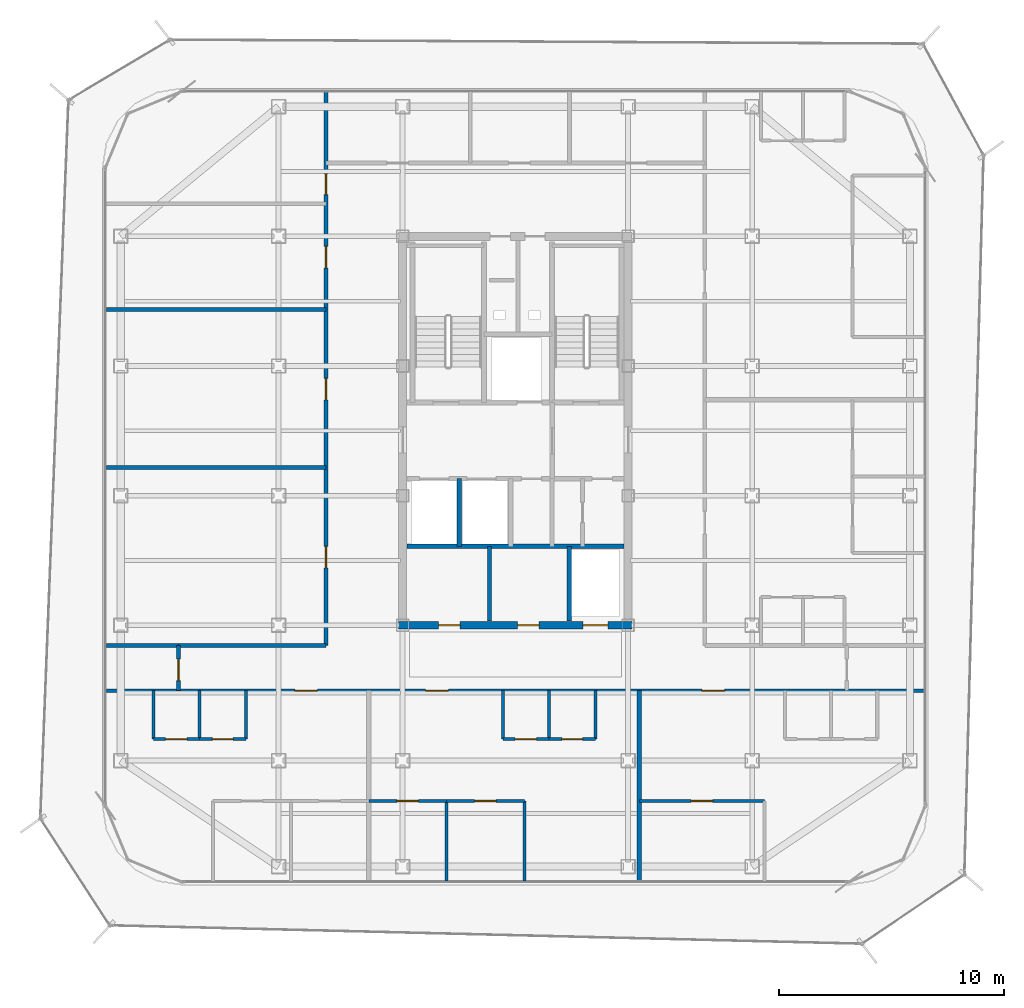
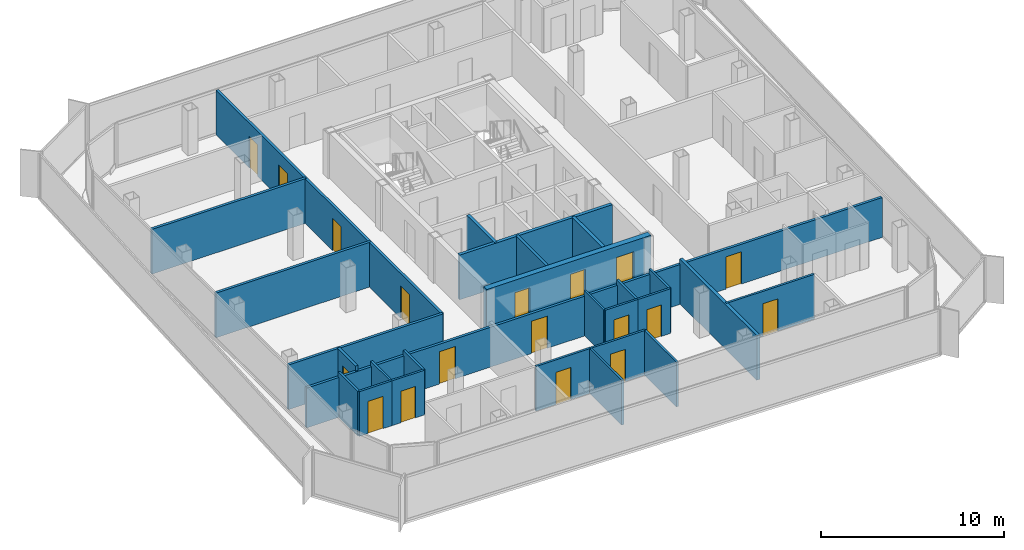
# One storey, part 10 of 15: 28 walls, 18 doors, 18 openings.
"""IFC4 building model written with IfcOpenShell, lengths in metres."""

from ifc_helpers import new_model, si_unit, direction, frame, frame_2d, origin, place, context, subcontext, project, spatial, rectangle, extrude, material, layer, layer_set, type_object, element, fill, save


model = new_model("IFC4")

# Units and contexts
model_context = context("Model", 3, precision=1e-05, world=origin(), true_north=direction((0.0, 1.0)))
body_context = subcontext(model_context, "Body", "Model", "MODEL_VIEW")
ifc_project = project(units=[si_unit("LENGTHUNIT", "METRE"), si_unit("AREAUNIT", "SQUARE_METRE"), si_unit("VOLUMEUNIT", "CUBIC_METRE"), si_unit("PLANEANGLEUNIT", "RADIAN"), si_unit("MASSUNIT", "GRAM", prefix="KILO")], contexts=[model_context])

# Site, building, storey
site_placement = place(None, origin())
site = spatial("IfcSite", under=ifc_project, at=site_placement, CompositionType="ELEMENT")
building_placement = place(site_placement, origin())
building = spatial("IfcBuilding", under=site, at=building_placement, Name="Kolveth Station Tower", CompositionType="ELEMENT")
storey_placement = place(building_placement, frame((0.0, 0.0, 252.10009765625)))
storey = spatial("IfcBuildingStorey", under=building, at=storey_placement, Name="L72", CompositionType="ELEMENT", Elevation=252.10009765625)

# Wall, openings, doors
ifc_material_1 = material(Name="Concrete C50/60", Category="concrete")
ifc_layer_1 = layer(ifc_material_1, 0.35009765625)
ifc_layer_set_1 = layer_set([ifc_layer_1], Name="Concrete C50/60")
wall_type_1 = type_object("IfcWallType", Name="Wall_CW-350", PredefinedType="SHEAR", material=ifc_layer_set_1)
wall_1_placement = place(storey_placement, frame((18.324951171875, 11.5, 0.0), z_axis=(0.0, 0.0, 1.0), x_axis=(1.0, 0.0, 0.0)))
wall_1 = element("IfcWall", 1, at=wall_1_placement, inside=storey, type_object=wall_type_1, Name="L72 Core RC Shear Wall S", PredefinedType="SHEAR", context=body_context, shape_type="SweptSolid", body=[
    extrude(rectangle(XDim=10.35009765625, YDim=0.35009765625, at=frame_2d((5.175048828125, 0.0))), origin(), (0.0, 0.0, 1.0), 2.97998046875),
])
opening_1_placement = place(wall_1_placement, frame((1.77490234375, 0.0, 0.0)))
opening_1 = element("IfcOpeningElement", 2, at=opening_1_placement, cuts=wall_1, Name="Opening ID1", PredefinedType="OPENING", context=body_context, shape_type="SweptSolid", body=[
    extrude(rectangle(XDim=0.949951171875, YDim=2.14990234375, at=frame_2d((0.47509765625, 1.074951171875))), frame((0.0, 0.18505859375, 0.0), z_axis=(0.0, -1.0, 0.0), x_axis=(1.0, 0.0, 0.0)), (0.0, 0.0, 1.0), 0.3701171875),
])
opening_2_placement = place(wall_1_placement, frame((5.27490234375, 0.0, 0.0)))
opening_2 = element("IfcOpeningElement", 3, at=opening_2_placement, cuts=wall_1, Name="Opening ID1", PredefinedType="OPENING", context=body_context, shape_type="SweptSolid", body=[
    extrude(rectangle(XDim=0.949951171875, YDim=2.14990234375, at=frame_2d((0.47509765625, 1.074951171875))), frame((0.0, 0.18505859375, 0.0), z_axis=(0.0, -1.0, 0.0), x_axis=(1.0, 0.0, 0.0)), (0.0, 0.0, 1.0), 0.3701171875),
])
opening_3_placement = place(wall_1_placement, frame((8.175048828125, 0.0, 0.0)))
opening_3 = element("IfcOpeningElement", 4, at=opening_3_placement, cuts=wall_1, Name="Opening LD1", PredefinedType="OPENING", context=body_context, shape_type="SweptSolid", body=[
    extrude(rectangle(XDim=1.10009765625, YDim=2.25, at=frame_2d((0.550048828125, 1.125))), frame((0.0, 0.18505859375, 0.0), z_axis=(0.0, -1.0, 0.0), x_axis=(1.0, 0.0, 0.0)), (0.0, 0.0, 1.0), 0.3701171875),
])
ifc_material_2 = material(Name="Acoustic hardwood leaf and aluminium frame", Category="wood")
door_type_1 = type_object("IfcDoorType", Name="Door_ID1", OperationType="NOTDEFINED", PredefinedType="DOOR", material=ifc_material_2)
door_1_placement = place(opening_1_placement, frame((0.949951171875, 0.0, 0.0), z_axis=(0.0, 0.0, 1.0), x_axis=(-1.0, 0.0, 0.0)))
door_1 = element("IfcDoor", 5, at=door_1_placement, inside=storey, type_object=door_type_1, Name="L72 Laundry Room Door", OperationType="SINGLE_SWING_LEFT", OverallHeight=2.14990234375, OverallWidth=0.949951171875, PredefinedType="DOOR", context=body_context, shape_type="SweptSolid", body=[
    extrude(rectangle(XDim=0.949951171875, YDim=2.14990234375, at=frame_2d((0.47509765625, 1.074951171875))), frame((0.0, 0.02490234375, 0.0), z_axis=(0.0, -1.0, 0.0), x_axis=(1.0, 0.0, 0.0)), (0.0, 0.0, 1.0), 0.050048828125),
])
fill(opening_1, door_1)
door_2_placement = place(opening_2_placement, frame((0.949951171875, 0.0, 0.0), z_axis=(0.0, 0.0, 1.0), x_axis=(-1.0, 0.0, 0.0)))
door_2 = element("IfcDoor", 6, at=door_2_placement, inside=storey, type_object=door_type_1, Name="L72 Parcel Room Door", OperationType="SINGLE_SWING_LEFT", OverallHeight=2.14990234375, OverallWidth=0.949951171875, PredefinedType="DOOR", context=body_context, shape_type="SweptSolid", body=[
    extrude(rectangle(XDim=0.949951171875, YDim=2.14990234375, at=frame_2d((0.47509765625, 1.074951171875))), frame((0.0, 0.02490234375, 0.0), z_axis=(0.0, -1.0, 0.0), x_axis=(1.0, 0.0, 0.0)), (0.0, 0.0, 1.0), 0.050048828125),
])
fill(opening_2, door_2)
ifc_material_3 = material(Name="Brushed stainless steel sliding landing doors", Category="steel")
door_type_2 = type_object("IfcDoorType", Name="Door_LD1", OperationType="NOTDEFINED", PredefinedType="DOOR", material=ifc_material_3)
door_3_placement = place(opening_3_placement, frame((1.10009765625, 0.0, 0.0), z_axis=(0.0, 0.0, 1.0), x_axis=(-1.0, 0.0, 0.0)))
door_3 = element("IfcDoor", 7, at=door_3_placement, inside=storey, type_object=door_type_2, Name="L72 Lift PH1 Landing Door", OperationType="DOUBLE_DOOR_SLIDING", OverallHeight=2.25, OverallWidth=1.10009765625, PredefinedType="DOOR", context=body_context, shape_type="SweptSolid", body=[
    extrude(rectangle(XDim=1.10009765625, YDim=2.25, at=frame_2d((0.550048828125, 1.125))), frame((0.0, 0.02490234375, 0.0), z_axis=(0.0, -1.0, 0.0), x_axis=(1.0, 0.0, 0.0)), (0.0, 0.0, 1.0), 0.050048828125),
])
fill(opening_3, door_3)

# Wall, opening, door
ifc_material_4 = material(Name="Moisture-resistant gypsum partition")
ifc_layer_2 = layer(ifc_material_4, 0.135009765625)
ifc_layer_set_2 = layer_set([ifc_layer_2], Name="Moisture-resistant gypsum partition")
wall_type_2 = type_object("IfcWallType", Name="Wall_IW-135", PredefinedType="PARTITIONING", material=ifc_layer_set_2)
wall_2_placement = place(storey_placement, frame((7.449951171875, 6.449951171875, 0.0), z_axis=(0.0, 0.0, 1.0), x_axis=(1.0, 0.0, 0.0)))
wall_2 = element("IfcWall", 8, at=wall_2_placement, inside=storey, type_object=wall_type_2, Name="L72 Partition Wall WL-L72-A1-IBHK", PredefinedType="PARTITIONING", context=body_context, shape_type="SweptSolid", body=[
    extrude(rectangle(XDim=2.050048828125, YDim=0.135009765625, at=frame_2d((1.02490234375, 0.0))), origin(), (0.0, 0.0, 1.0), 2.97998046875),
])
opening_4_placement = place(wall_2_placement, frame((0.544921875, 0.0, 0.0)))
opening_4 = element("IfcOpeningElement", 9, at=opening_4_placement, cuts=wall_2, Name="Opening ID1", PredefinedType="OPENING", context=body_context, shape_type="SweptSolid", body=[
    extrude(rectangle(XDim=0.949951171875, YDim=2.14990234375, at=frame_2d((0.47509765625, 1.074951171875))), frame((0.0, 0.077392578125, 0.0), z_axis=(0.0, -1.0, 0.0), x_axis=(1.0, 0.0, 0.0)), (0.0, 0.0, 1.0), 0.155029296875),
])
door_4_placement = place(opening_4_placement, origin())
door_4 = element("IfcDoor", 10, at=door_4_placement, inside=storey, type_object=door_type_1, Name="Flat L72-A1 Kitchen Door", OperationType="SINGLE_SWING_RIGHT", OverallHeight=2.14990234375, OverallWidth=0.949951171875, PredefinedType="DOOR", context=body_context, shape_type="SweptSolid", body=[
    extrude(rectangle(XDim=0.949951171875, YDim=2.14990234375, at=frame_2d((0.47509765625, 1.074951171875))), frame((0.0, 0.02490234375, 0.0), z_axis=(0.0, -1.0, 0.0), x_axis=(1.0, 0.0, 0.0)), (0.0, 0.0, 1.0), 0.050048828125),
])
fill(opening_4, door_4)

wall_3_placement = place(storey_placement, frame((9.5, 6.449951171875, 0.0), z_axis=(0.0, 0.0, 1.0), x_axis=(1.0, 0.0, 0.0)))
wall_3 = element("IfcWall", 11, at=wall_3_placement, inside=storey, type_object=wall_type_2, Name="L72 Partition Wall WL-L72-A1-IBHB", PredefinedType="PARTITIONING", context=body_context, shape_type="SweptSolid", body=[
    extrude(rectangle(XDim=2.050048828125, YDim=0.135009765625, at=frame_2d((1.02490234375, 0.0))), origin(), (0.0, 0.0, 1.0), 2.97998046875),
])
opening_5_placement = place(wall_3_placement, frame((0.56494140625, 0.0, 0.0)))
opening_5 = element("IfcOpeningElement", 12, at=opening_5_placement, cuts=wall_3, Name="Opening ID2", PredefinedType="OPENING", context=body_context, shape_type="SweptSolid", body=[
    extrude(rectangle(XDim=0.919921875, YDim=2.10009765625, at=frame_2d((0.4599609375, 1.050048828125))), frame((0.0, 0.077392578125, 0.0), z_axis=(0.0, -1.0, 0.0), x_axis=(1.0, 0.0, 0.0)), (0.0, 0.0, 1.0), 0.155029296875),
])
ifc_material_5 = material(Name="Moisture-resistant hardwood leaf", Category="wood")
door_type_3 = type_object("IfcDoorType", Name="Door_ID2", OperationType="NOTDEFINED", PredefinedType="DOOR", material=ifc_material_5)
door_5_placement = place(opening_5_placement, origin())
door_5 = element("IfcDoor", 13, at=door_5_placement, inside=storey, type_object=door_type_3, Name="Flat L72-A1 Bathroom Door", OperationType="SINGLE_SWING_LEFT", OverallHeight=2.10009765625, OverallWidth=0.919921875, PredefinedType="DOOR", context=body_context, shape_type="SweptSolid", body=[
    extrude(rectangle(XDim=0.919921875, YDim=2.10009765625, at=frame_2d((0.4599609375, 1.050048828125))), frame((0.0, 0.02490234375, 0.0), z_axis=(0.0, -1.0, 0.0), x_axis=(1.0, 0.0, 0.0)), (0.0, 0.0, 1.0), 0.050048828125),
])
fill(opening_5, door_5)

# Walls
for number, where, z_axis, x_axis, name in (
    (14, (7.449951171875, 6.449951171875, 0.0), (0.0, 0.0, 1.0), (0.0, 1.0, 0.0), "L72 Partition Wall WL-L72-A1-IBV0"),
    (15, (9.5, 6.449951171875, 0.0), (0.0, 0.0, 1.0), (0.0, 1.0, 0.0), "L72 Partition Wall WL-L72-A1-IBV1"),
    (16, (11.550048828125, 6.449951171875, 0.0), (0.0, 0.0, 1.0), (0.0, 1.0, 0.0), "L72 Partition Wall WL-L72-A1-IBV2"),
):
    element("IfcWall", number, at=place(storey_placement, frame(where, z_axis=z_axis, x_axis=x_axis)), inside=storey, type_object=wall_type_2, Name=name, PredefinedType="PARTITIONING", context=body_context, shape_type="SweptSolid", body=[
        extrude(rectangle(XDim=2.150146484375, YDim=0.135009765625, at=frame_2d((1.0751953125, 0.0))), origin(), (0.0, 0.0, 1.0), 2.97998046875),
    ])

# Wall, opening, door
wall_4_placement = place(storey_placement, frame((22.949951171875, 6.449951171875, 0.0), z_axis=(0.0, 0.0, 1.0), x_axis=(1.0, 0.0, 0.0)))
wall_4 = element("IfcWall", 17, at=wall_4_placement, inside=storey, type_object=wall_type_2, Name="L72 Partition Wall WL-L72-A2-IBHK", PredefinedType="PARTITIONING", context=body_context, shape_type="SweptSolid", body=[
    extrude(rectangle(XDim=2.050048828125, YDim=0.135009765625, at=frame_2d((1.02490234375, 0.0))), origin(), (0.0, 0.0, 1.0), 2.97998046875),
])
opening_6_placement = place(wall_4_placement, frame((0.544921875, 0.0, 0.0)))
opening_6 = element("IfcOpeningElement", 18, at=opening_6_placement, cuts=wall_4, Name="Opening ID1", PredefinedType="OPENING", context=body_context, shape_type="SweptSolid", body=[
    extrude(rectangle(XDim=0.949951171875, YDim=2.14990234375, at=frame_2d((0.47509765625, 1.074951171875))), frame((0.0, 0.077392578125, 0.0), z_axis=(0.0, -1.0, 0.0), x_axis=(1.0, 0.0, 0.0)), (0.0, 0.0, 1.0), 0.155029296875),
])
door_6_placement = place(opening_6_placement, origin())
door_6 = element("IfcDoor", 19, at=door_6_placement, inside=storey, type_object=door_type_1, Name="Flat L72-A2 Kitchen Door", OperationType="SINGLE_SWING_LEFT", OverallHeight=2.14990234375, OverallWidth=0.949951171875, PredefinedType="DOOR", context=body_context, shape_type="SweptSolid", body=[
    extrude(rectangle(XDim=0.949951171875, YDim=2.14990234375, at=frame_2d((0.47509765625, 1.074951171875))), frame((0.0, 0.02490234375, 0.0), z_axis=(0.0, -1.0, 0.0), x_axis=(1.0, 0.0, 0.0)), (0.0, 0.0, 1.0), 0.050048828125),
])
fill(opening_6, door_6)

wall_5_placement = place(storey_placement, frame((25.0, 6.449951171875, 0.0), z_axis=(0.0, 0.0, 1.0), x_axis=(1.0, 0.0, 0.0)))
wall_5 = element("IfcWall", 20, at=wall_5_placement, inside=storey, type_object=wall_type_2, Name="L72 Partition Wall WL-L72-A2-IBHB", PredefinedType="PARTITIONING", context=body_context, shape_type="SweptSolid", body=[
    extrude(rectangle(XDim=2.050048828125, YDim=0.135009765625, at=frame_2d((1.02490234375, 0.0))), origin(), (0.0, 0.0, 1.0), 2.97998046875),
])
opening_7_placement = place(wall_5_placement, frame((0.56494140625, 0.0, 0.0)))
opening_7 = element("IfcOpeningElement", 21, at=opening_7_placement, cuts=wall_5, Name="Opening ID2", PredefinedType="OPENING", context=body_context, shape_type="SweptSolid", body=[
    extrude(rectangle(XDim=0.919921875, YDim=2.10009765625, at=frame_2d((0.4599609375, 1.050048828125))), frame((0.0, 0.077392578125, 0.0), z_axis=(0.0, -1.0, 0.0), x_axis=(1.0, 0.0, 0.0)), (0.0, 0.0, 1.0), 0.155029296875),
])
door_7_placement = place(opening_7_placement, origin())
door_7 = element("IfcDoor", 22, at=door_7_placement, inside=storey, type_object=door_type_3, Name="Flat L72-A2 Bathroom Door", OperationType="SINGLE_SWING_RIGHT", OverallHeight=2.10009765625, OverallWidth=0.919921875, PredefinedType="DOOR", context=body_context, shape_type="SweptSolid", body=[
    extrude(rectangle(XDim=0.919921875, YDim=2.10009765625, at=frame_2d((0.4599609375, 1.050048828125))), frame((0.0, 0.02490234375, 0.0), z_axis=(0.0, -1.0, 0.0), x_axis=(1.0, 0.0, 0.0)), (0.0, 0.0, 1.0), 0.050048828125),
])
fill(opening_7, door_7)

# Walls
for number, where, z_axis, x_axis, name in (
    (23, (22.949951171875, 6.449951171875, 0.0), (0.0, 0.0, 1.0), (0.0, 1.0, 0.0), "L72 Partition Wall WL-L72-A2-IBV0"),
    (24, (25.0, 6.449951171875, 0.0), (0.0, 0.0, 1.0), (0.0, 1.0, 0.0), "L72 Partition Wall WL-L72-A2-IBV1"),
    (25, (27.050048828125, 6.449951171875, 0.0), (0.0, 0.0, 1.0), (0.0, 1.0, 0.0), "L72 Partition Wall WL-L72-A2-IBV2"),
):
    element("IfcWall", number, at=place(storey_placement, frame(where, z_axis=z_axis, x_axis=x_axis)), inside=storey, type_object=wall_type_2, Name=name, PredefinedType="PARTITIONING", context=body_context, shape_type="SweptSolid", body=[
        extrude(rectangle(XDim=2.150146484375, YDim=0.135009765625, at=frame_2d((1.0751953125, 0.0))), origin(), (0.0, 0.0, 1.0), 2.97998046875),
    ])
wall_6_placement = place(storey_placement, frame((23.89990234375, 0.159912109375, 0.0), z_axis=(0.0, 0.0, 1.0), x_axis=(0.0, 1.0, 0.0)))
element("IfcWall", 26, at=wall_6_placement, inside=storey, type_object=wall_type_2, Name="L72 Partition Wall WL-L72-A2-BDVE", PredefinedType="PARTITIONING", context=body_context, shape_type="SweptSolid", body=[
    extrude(rectangle(XDim=3.550048828125, YDim=0.135009765625, at=frame_2d((1.77490234375, 0.0))), origin(), (0.0, 0.0, 1.0), 2.97998046875),
])

# Wall, opening, door
wall_7_placement = place(storey_placement, frame((17.0, 3.7099609375, 0.0), z_axis=(0.0, 0.0, 1.0), x_axis=(1.0, 0.0, 0.0)))
wall_7 = element("IfcWall", 27, at=wall_7_placement, inside=storey, type_object=wall_type_2, Name="L72 Partition Wall WL-L72-A2-BDH1", PredefinedType="PARTITIONING", context=body_context, shape_type="SweptSolid", body=[
    extrude(rectangle(XDim=3.449951171875, YDim=0.135009765625, at=frame_2d((1.72509765625, 0.0))), origin(), (0.0, 0.0, 1.0), 2.97998046875),
])
opening_8_placement = place(wall_7_placement, frame((1.2451171875, 0.0, 0.0)))
opening_8 = element("IfcOpeningElement", 28, at=opening_8_placement, cuts=wall_7, Name="Opening ID1", PredefinedType="OPENING", context=body_context, shape_type="SweptSolid", body=[
    extrude(rectangle(XDim=0.949951171875, YDim=2.14990234375, at=frame_2d((0.47509765625, 1.074951171875))), frame((0.0, 0.077392578125, 0.0), z_axis=(0.0, -1.0, 0.0), x_axis=(1.0, 0.0, 0.0)), (0.0, 0.0, 1.0), 0.155029296875),
])
door_8_placement = place(opening_8_placement, frame((0.949951171875, 0.0, 0.0), z_axis=(0.0, 0.0, 1.0), x_axis=(-1.0, 0.0, 0.0)))
door_8 = element("IfcDoor", 29, at=door_8_placement, inside=storey, type_object=door_type_1, Name="Flat L72-A2 Bedroom 1 Door", OperationType="SINGLE_SWING_LEFT", OverallHeight=2.14990234375, OverallWidth=0.949951171875, PredefinedType="DOOR", context=body_context, shape_type="SweptSolid", body=[
    extrude(rectangle(XDim=0.949951171875, YDim=2.14990234375, at=frame_2d((0.47509765625, 1.074951171875))), frame((0.0, 0.02490234375, 0.0), z_axis=(0.0, -1.0, 0.0), x_axis=(1.0, 0.0, 0.0)), (0.0, 0.0, 1.0), 0.050048828125),
])
fill(opening_8, door_8)

wall_8_placement = place(storey_placement, frame((20.449951171875, 3.7099609375, 0.0), z_axis=(0.0, 0.0, 1.0), x_axis=(1.0, 0.0, 0.0)))
wall_8 = element("IfcWall", 30, at=wall_8_placement, inside=storey, type_object=wall_type_2, Name="L72 Partition Wall WL-L72-A2-BDH2", PredefinedType="PARTITIONING", context=body_context, shape_type="SweptSolid", body=[
    extrude(rectangle(XDim=3.449951171875, YDim=0.135009765625, at=frame_2d((1.72509765625, 0.0))), origin(), (0.0, 0.0, 1.0), 2.97998046875),
])
opening_9_placement = place(wall_8_placement, frame((1.2451171875, 0.0, 0.0)))
opening_9 = element("IfcOpeningElement", 31, at=opening_9_placement, cuts=wall_8, Name="Opening ID1", PredefinedType="OPENING", context=body_context, shape_type="SweptSolid", body=[
    extrude(rectangle(XDim=0.949951171875, YDim=2.14990234375, at=frame_2d((0.47509765625, 1.074951171875))), frame((0.0, 0.077392578125, 0.0), z_axis=(0.0, -1.0, 0.0), x_axis=(1.0, 0.0, 0.0)), (0.0, 0.0, 1.0), 0.155029296875),
])
door_9_placement = place(opening_9_placement, frame((0.949951171875, 0.0, 0.0), z_axis=(0.0, 0.0, 1.0), x_axis=(-1.0, 0.0, 0.0)))
door_9 = element("IfcDoor", 32, at=door_9_placement, inside=storey, type_object=door_type_1, Name="Flat L72-A2 Bedroom 2 Door", OperationType="SINGLE_SWING_LEFT", OverallHeight=2.14990234375, OverallWidth=0.949951171875, PredefinedType="DOOR", context=body_context, shape_type="SweptSolid", body=[
    extrude(rectangle(XDim=0.949951171875, YDim=2.14990234375, at=frame_2d((0.47509765625, 1.074951171875))), frame((0.0, 0.02490234375, 0.0), z_axis=(0.0, -1.0, 0.0), x_axis=(1.0, 0.0, 0.0)), (0.0, 0.0, 1.0), 0.050048828125),
])
fill(opening_9, door_9)

# Wall
wall_9_placement = place(storey_placement, frame((20.449951171875, 0.159912109375, 0.0), z_axis=(0.0, 0.0, 1.0), x_axis=(0.0, 1.0, 0.0)))
element("IfcWall", 33, at=wall_9_placement, inside=storey, type_object=wall_type_2, Name="L72 Partition Wall WL-L72-A2-BDV1", PredefinedType="PARTITIONING", context=body_context, shape_type="SweptSolid", body=[
    extrude(rectangle(XDim=3.550048828125, YDim=0.135009765625, at=frame_2d((1.77490234375, 0.0))), origin(), (0.0, 0.0, 1.0), 2.97998046875),
])

# Wall, opening, door
wall_10_placement = place(storey_placement, frame((29.0, 3.7099609375, 0.0), z_axis=(0.0, 0.0, 1.0), x_axis=(1.0, 0.0, 0.0)))
wall_10 = element("IfcWall", 34, at=wall_10_placement, inside=storey, type_object=wall_type_2, Name="L72 Partition Wall WL-L72-A3-BDH1", PredefinedType="PARTITIONING", context=body_context, shape_type="SweptSolid", body=[
    extrude(rectangle(XDim=5.549072265625, YDim=0.135009765625, at=frame_2d((2.7744140625, 0.0))), origin(), (0.0, 0.0, 1.0), 2.97998046875),
])
opening_10_placement = place(wall_10_placement, frame((2.2939453125, 0.0, 0.0)))
opening_10 = element("IfcOpeningElement", 35, at=opening_10_placement, cuts=wall_10, Name="Opening ID1", PredefinedType="OPENING", context=body_context, shape_type="SweptSolid", body=[
    extrude(rectangle(XDim=0.949951171875, YDim=2.14990234375, at=frame_2d((0.47509765625, 1.074951171875))), frame((0.0, 0.077392578125, 0.0), z_axis=(0.0, -1.0, 0.0), x_axis=(1.0, 0.0, 0.0)), (0.0, 0.0, 1.0), 0.155029296875),
])
door_10_placement = place(opening_10_placement, frame((0.949951171875, 0.0, 0.0), z_axis=(0.0, 0.0, 1.0), x_axis=(-1.0, 0.0, 0.0)))
door_10 = element("IfcDoor", 36, at=door_10_placement, inside=storey, type_object=door_type_1, Name="Penthouse Flat L72-A3 Bedroom 1 Door", OperationType="SINGLE_SWING_RIGHT", OverallHeight=2.14990234375, OverallWidth=0.949951171875, PredefinedType="DOOR", context=body_context, shape_type="SweptSolid", body=[
    extrude(rectangle(XDim=0.949951171875, YDim=2.14990234375, at=frame_2d((0.47509765625, 1.074951171875))), frame((0.0, 0.02490234375, 0.0), z_axis=(0.0, -1.0, 0.0), x_axis=(1.0, 0.0, 0.0)), (0.0, 0.0, 1.0), 0.050048828125),
])
fill(opening_10, door_10)

# Wall
ifc_material_6 = material(Name="Acoustic double-stud gypsum partition")
ifc_layer_3 = layer(ifc_material_6, 0.1650390625)
ifc_layer_set_3 = layer_set([ifc_layer_3], Name="Acoustic double-stud gypsum partition")
wall_type_3 = type_object("IfcWallType", Name="Wall_IW-165", PredefinedType="PARTITIONING", material=ifc_layer_set_3)
wall_11_placement = place(storey_placement, frame((22.35009765625, 11.68505859375, 0.0), z_axis=(0.0, 0.0, 1.0), x_axis=(0.0, 1.0, 0.0)))
element("IfcWall", 37, at=wall_11_placement, inside=storey, type_object=wall_type_3, Name="L72 Partition Wall WL-L72-FR-M", PredefinedType="PARTITIONING", context=body_context, shape_type="SweptSolid", body=[
    extrude(rectangle(XDim=3.31494140625, YDim=0.1650390625, at=frame_2d((1.657470703125, 0.0))), origin(), (0.0, 0.0, 1.0), 2.97998046875),
])

# Wall, openings, doors
wall_12_placement = place(storey_placement, frame((5.360107421875, 8.60009765625, 0.0), z_axis=(0.0, 0.0, 1.0), x_axis=(1.0, 0.0, 0.0)))
wall_12 = element("IfcWall", 38, at=wall_12_placement, inside=storey, type_object=wall_type_3, Name="L72 Partition Wall WL-L72-RS", PredefinedType="PARTITIONING", context=body_context, shape_type="SweptSolid", body=[
    extrude(rectangle(XDim=36.27978515625, YDim=0.1650390625, at=frame_2d((18.139892578125, 0.0))), origin(), (0.0, 0.0, 1.0), 2.65478515625),
])
opening_11_placement = place(wall_12_placement, frame((8.364990234375, 0.0, 0.0)))
opening_11 = element("IfcOpeningElement", 39, at=opening_11_placement, cuts=wall_12, Name="Opening FD3", PredefinedType="OPENING", context=body_context, shape_type="SweptSolid", body=[
    extrude(rectangle(XDim=1.0, YDim=2.14990234375, at=frame_2d((0.5, 1.074951171875))), frame((0.0, 0.092529296875, 0.0), z_axis=(0.0, -1.0, 0.0), x_axis=(1.0, 0.0, 0.0)), (0.0, 0.0, 1.0), 0.18505859375),
])
opening_12_placement = place(wall_12_placement, frame((14.1650390625, 0.0, 0.0)))
opening_12 = element("IfcOpeningElement", 40, at=opening_12_placement, cuts=wall_12, Name="Opening FD3", PredefinedType="OPENING", context=body_context, shape_type="SweptSolid", body=[
    extrude(rectangle(XDim=1.0, YDim=2.14990234375, at=frame_2d((0.5, 1.074951171875))), frame((0.0, 0.092529296875, 0.0), z_axis=(0.0, -1.0, 0.0), x_axis=(1.0, 0.0, 0.0)), (0.0, 0.0, 1.0), 0.18505859375),
])
opening_13_placement = place(wall_12_placement, frame((26.4150390625, 0.0, 0.0)))
opening_13 = element("IfcOpeningElement", 41, at=opening_13_placement, cuts=wall_12, Name="Opening FD3", PredefinedType="OPENING", context=body_context, shape_type="SweptSolid", body=[
    extrude(rectangle(XDim=1.0, YDim=2.14990234375, at=frame_2d((0.5, 1.074951171875))), frame((0.0, 0.092529296875, 0.0), z_axis=(0.0, -1.0, 0.0), x_axis=(1.0, 0.0, 0.0)), (0.0, 0.0, 1.0), 0.18505859375),
])
ifc_material_7 = material(Name="Fire-rated hardwood leaf and aluminium frame", Category="wood")
door_type_4 = type_object("IfcDoorType", Name="Door_FD3", OperationType="NOTDEFINED", PredefinedType="DOOR", material=ifc_material_7)
door_11_placement = place(opening_11_placement, frame((1.0, 0.0, 0.0), z_axis=(0.0, 0.0, 1.0), x_axis=(-1.0, 0.0, 0.0)))
door_11 = element("IfcDoor", 42, at=door_11_placement, inside=storey, type_object=door_type_4, Name="Flat L72-A1 Entrance Door", OperationType="SINGLE_SWING_RIGHT", OverallHeight=2.14990234375, OverallWidth=1.0, PredefinedType="DOOR", context=body_context, shape_type="SweptSolid", body=[
    extrude(rectangle(XDim=1.0, YDim=2.14990234375, at=frame_2d((0.5, 1.074951171875))), frame((0.0, 0.02490234375, 0.0), z_axis=(0.0, -1.0, 0.0), x_axis=(1.0, 0.0, 0.0)), (0.0, 0.0, 1.0), 0.050048828125),
])
fill(opening_11, door_11)
door_12_placement = place(opening_12_placement, frame((1.0, 0.0, 0.0), z_axis=(0.0, 0.0, 1.0), x_axis=(-1.0, 0.0, 0.0)))
door_12 = element("IfcDoor", 43, at=door_12_placement, inside=storey, type_object=door_type_4, Name="Flat L72-A2 Entrance Door", OperationType="SINGLE_SWING_LEFT", OverallHeight=2.14990234375, OverallWidth=1.0, PredefinedType="DOOR", context=body_context, shape_type="SweptSolid", body=[
    extrude(rectangle(XDim=1.0, YDim=2.14990234375, at=frame_2d((0.5, 1.074951171875))), frame((0.0, 0.02490234375, 0.0), z_axis=(0.0, -1.0, 0.0), x_axis=(1.0, 0.0, 0.0)), (0.0, 0.0, 1.0), 0.050048828125),
])
fill(opening_12, door_12)
door_13_placement = place(opening_13_placement, frame((1.0, 0.0, 0.0), z_axis=(0.0, 0.0, 1.0), x_axis=(-1.0, 0.0, 0.0)))
door_13 = element("IfcDoor", 44, at=door_13_placement, inside=storey, type_object=door_type_4, Name="Penthouse Flat L72-A3 Entrance Door", OperationType="SINGLE_SWING_LEFT", OverallHeight=2.14990234375, OverallWidth=1.0, PredefinedType="DOOR", context=body_context, shape_type="SweptSolid", body=[
    extrude(rectangle(XDim=1.0, YDim=2.14990234375, at=frame_2d((0.5, 1.074951171875))), frame((0.0, 0.02490234375, 0.0), z_axis=(0.0, -1.0, 0.0), x_axis=(1.0, 0.0, 0.0)), (0.0, 0.0, 1.0), 0.050048828125),
])
fill(opening_13, door_13)

# Wall
wall_13_placement = place(storey_placement, frame((8.56005859375, 10.60009765625, 0.0), z_axis=(0.0, 0.0, 1.0), x_axis=(1.0, 0.0, 0.0)))
element("IfcWall", 45, at=wall_13_placement, inside=storey, type_object=wall_type_3, Name="L72 Partition Wall WL-L72-RSWT", PredefinedType="PARTITIONING", context=body_context, shape_type="SweptSolid", body=[
    extrude(rectangle(XDim=6.5400390625, YDim=0.1650390625, at=frame_2d((3.27001953125, 0.0))), origin(), (0.0, 0.0, 1.0), 2.97998046875),
])

# Wall, opening, door
wall_14_placement = place(storey_placement, frame((8.56005859375, 8.60009765625, 0.0), z_axis=(0.0, 0.0, 1.0), x_axis=(0.0, 1.0, 0.0)))
wall_14 = element("IfcWall", 46, at=wall_14_placement, inside=storey, type_object=wall_type_3, Name="L72 Partition Wall WL-L72-RSWE", PredefinedType="PARTITIONING", context=body_context, shape_type="SweptSolid", body=[
    extrude(rectangle(XDim=2.0, YDim=0.1650390625, at=frame_2d((1.0, 0.0))), origin(), (0.0, 0.0, 1.0), 2.97998046875),
])
opening_14_placement = place(wall_14_placement, frame((0.449951171875, 0.0, 0.0)))
opening_14 = element("IfcOpeningElement", 47, at=opening_14_placement, cuts=wall_14, Name="Opening ID1", PredefinedType="OPENING", context=body_context, shape_type="SweptSolid", body=[
    extrude(rectangle(XDim=0.949951171875, YDim=2.14990234375, at=frame_2d((0.47509765625, 1.074951171875))), frame((0.0, 0.092529296875, 0.0), z_axis=(0.0, -1.0, 0.0), x_axis=(1.0, 0.0, 0.0)), (0.0, 0.0, 1.0), 0.18505859375),
])
door_14_placement = place(opening_14_placement, frame((0.949951171875, 0.0, 0.0), z_axis=(0.0, 0.0, 1.0), x_axis=(-1.0, 0.0, 0.0)))
door_14 = element("IfcDoor", 48, at=door_14_placement, inside=storey, type_object=door_type_1, Name="L72 West Store Door", OperationType="SINGLE_SWING_RIGHT", OverallHeight=2.14990234375, OverallWidth=0.949951171875, PredefinedType="DOOR", context=body_context, shape_type="SweptSolid", body=[
    extrude(rectangle(XDim=0.949951171875, YDim=2.14990234375, at=frame_2d((0.47509765625, 1.074951171875))), frame((0.0, 0.02490234375, 0.0), z_axis=(0.0, -1.0, 0.0), x_axis=(1.0, 0.0, 0.0)), (0.0, 0.0, 1.0), 0.050048828125),
])
fill(opening_14, door_14)

# Wall, openings, doors
wall_15_placement = place(storey_placement, frame((15.10009765625, 10.60009765625, 0.0), z_axis=(0.0, 0.0, 1.0), x_axis=(0.0, 1.0, 0.0)))
wall_15 = element("IfcWall", 49, at=wall_15_placement, inside=storey, type_object=wall_type_3, Name="L72 Partition Wall WL-L72-RW", PredefinedType="PARTITIONING", context=body_context, shape_type="SweptSolid", body=[
    extrude(rectangle(XDim=24.539794921875, YDim=0.1650390625, at=frame_2d((12.27001953125, 0.0))), origin(), (0.0, 0.0, 1.0), 2.97998046875),
])
opening_15_placement = place(wall_15_placement, frame((3.449951171875, 0.0, 0.0)))
opening_15 = element("IfcOpeningElement", 50, at=opening_15_placement, cuts=wall_15, Name="Opening ID1", PredefinedType="OPENING", context=body_context, shape_type="SweptSolid", body=[
    extrude(rectangle(XDim=0.949951171875, YDim=2.14990234375, at=frame_2d((0.47509765625, 1.074951171875))), frame((0.0, 0.092529296875, 0.0), z_axis=(0.0, -1.0, 0.0), x_axis=(1.0, 0.0, 0.0)), (0.0, 0.0, 1.0), 0.18505859375),
])
opening_16_placement = place(wall_15_placement, frame((10.89990234375, 0.0, 0.0)))
opening_16 = element("IfcOpeningElement", 51, at=opening_16_placement, cuts=wall_15, Name="Opening ID1", PredefinedType="OPENING", context=body_context, shape_type="SweptSolid", body=[
    extrude(rectangle(XDim=0.949951171875, YDim=2.14990234375, at=frame_2d((0.47509765625, 1.074951171875))), frame((0.0, 0.092529296875, 0.0), z_axis=(0.0, -1.0, 0.0), x_axis=(1.0, 0.0, 0.0)), (0.0, 0.0, 1.0), 0.18505859375),
])
opening_17_placement = place(wall_15_placement, frame((16.75, 0.0, 0.0)))
opening_17 = element("IfcOpeningElement", 52, at=opening_17_placement, cuts=wall_15, Name="Opening ID1", PredefinedType="OPENING", context=body_context, shape_type="SweptSolid", body=[
    extrude(rectangle(XDim=0.949951171875, YDim=2.14990234375, at=frame_2d((0.47509765625, 1.074951171875))), frame((0.0, 0.092529296875, 0.0), z_axis=(0.0, -1.0, 0.0), x_axis=(1.0, 0.0, 0.0)), (0.0, 0.0, 1.0), 0.18505859375),
])
opening_18_placement = place(wall_15_placement, frame((20.0, 0.0, 0.0)))
opening_18 = element("IfcOpeningElement", 53, at=opening_18_placement, cuts=wall_15, Name="Opening ID2", PredefinedType="OPENING", context=body_context, shape_type="SweptSolid", body=[
    extrude(rectangle(XDim=0.919921875, YDim=2.10009765625, at=frame_2d((0.4599609375, 1.050048828125))), frame((0.0, 0.092529296875, 0.0), z_axis=(0.0, -1.0, 0.0), x_axis=(1.0, 0.0, 0.0)), (0.0, 0.0, 1.0), 0.18505859375),
])
door_15_placement = place(opening_15_placement, frame((0.949951171875, 0.0, 0.0), z_axis=(0.0, 0.0, 1.0), x_axis=(-1.0, 0.0, 0.0)))
door_15 = element("IfcDoor", 54, at=door_15_placement, inside=storey, type_object=door_type_1, Name="L72 Wellness Treatment Room 1 Door", OperationType="SINGLE_SWING_RIGHT", OverallHeight=2.14990234375, OverallWidth=0.949951171875, PredefinedType="DOOR", context=body_context, shape_type="SweptSolid", body=[
    extrude(rectangle(XDim=0.949951171875, YDim=2.14990234375, at=frame_2d((0.47509765625, 1.074951171875))), frame((0.0, 0.02490234375, 0.0), z_axis=(0.0, -1.0, 0.0), x_axis=(1.0, 0.0, 0.0)), (0.0, 0.0, 1.0), 0.050048828125),
])
fill(opening_15, door_15)
door_16_placement = place(opening_16_placement, frame((0.949951171875, 0.0, 0.0), z_axis=(0.0, 0.0, 1.0), x_axis=(-1.0, 0.0, 0.0)))
door_16 = element("IfcDoor", 55, at=door_16_placement, inside=storey, type_object=door_type_1, Name="L72 Wellness Treatment Room 2 Door", OperationType="SINGLE_SWING_LEFT", OverallHeight=2.14990234375, OverallWidth=0.949951171875, PredefinedType="DOOR", context=body_context, shape_type="SweptSolid", body=[
    extrude(rectangle(XDim=0.949951171875, YDim=2.14990234375, at=frame_2d((0.47509765625, 1.074951171875))), frame((0.0, 0.02490234375, 0.0), z_axis=(0.0, -1.0, 0.0), x_axis=(1.0, 0.0, 0.0)), (0.0, 0.0, 1.0), 0.050048828125),
])
fill(opening_16, door_16)
door_17_placement = place(opening_17_placement, frame((0.949951171875, 0.0, 0.0), z_axis=(0.0, 0.0, 1.0), x_axis=(-1.0, 0.0, 0.0)))
door_17 = element("IfcDoor", 56, at=door_17_placement, inside=storey, type_object=door_type_1, Name="L72 Relaxation Study Door", OperationType="SINGLE_SWING_LEFT", OverallHeight=2.14990234375, OverallWidth=0.949951171875, PredefinedType="DOOR", context=body_context, shape_type="SweptSolid", body=[
    extrude(rectangle(XDim=0.949951171875, YDim=2.14990234375, at=frame_2d((0.47509765625, 1.074951171875))), frame((0.0, 0.02490234375, 0.0), z_axis=(0.0, -1.0, 0.0), x_axis=(1.0, 0.0, 0.0)), (0.0, 0.0, 1.0), 0.050048828125),
])
fill(opening_17, door_17)
door_18_placement = place(opening_18_placement, frame((0.919921875, 0.0, 0.0), z_axis=(0.0, 0.0, 1.0), x_axis=(-1.0, 0.0, 0.0)))
door_18 = element("IfcDoor", 57, at=door_18_placement, inside=storey, type_object=door_type_3, Name="L72 Accessible Wellness WC Door", OperationType="SINGLE_SWING_LEFT", OverallHeight=2.10009765625, OverallWidth=0.919921875, PredefinedType="DOOR", context=body_context, shape_type="SweptSolid", body=[
    extrude(rectangle(XDim=0.919921875, YDim=2.10009765625, at=frame_2d((0.4599609375, 1.050048828125))), frame((0.0, 0.02490234375, 0.0), z_axis=(0.0, -1.0, 0.0), x_axis=(1.0, 0.0, 0.0)), (0.0, 0.0, 1.0), 0.050048828125),
])
fill(opening_18, door_18)

# Walls
wall_16_placement = place(storey_placement, frame((5.360107421875, 10.60009765625, 0.0), z_axis=(0.0, 0.0, 1.0), x_axis=(1.0, 0.0, 0.0)))
element("IfcWall", 58, at=wall_16_placement, inside=storey, type_object=wall_type_3, Name="L72 Partition Wall WL-L72-WSTN", PredefinedType="PARTITIONING", context=body_context, shape_type="SweptSolid", body=[
    extrude(rectangle(XDim=3.199951171875, YDim=0.1650390625, at=frame_2d((1.60009765625, 0.0))), origin(), (0.0, 0.0, 1.0), 2.97998046875),
])
for number, where, z_axis, x_axis, name in (
    (59, (5.360107421875, 18.5, 0.0), (0.0, 0.0, 1.0), (1.0, 0.0, 0.0), "L72 Partition Wall WL-L72-RWA-P1"),
    (60, (5.360107421875, 25.5, 0.0), (0.0, 0.0, 1.0), (1.0, 0.0, 0.0), "L72 Partition Wall WL-L72-RWA-P2"),
):
    element("IfcWall", number, at=place(storey_placement, frame(where, z_axis=z_axis, x_axis=x_axis)), inside=storey, type_object=wall_type_3, Name=name, PredefinedType="PARTITIONING", context=body_context, shape_type="SweptSolid", body=[
        extrude(rectangle(XDim=9.739990234375, YDim=0.1650390625, at=frame_2d((4.8701171875, 0.0))), origin(), (0.0, 0.0, 1.0), 2.97998046875),
    ])
ifc_material_8 = material(Name="Acoustic fire-rated gypsum blockwork", Category="masonry")
ifc_layer_4 = layer(ifc_material_8, 0.199951171875)
ifc_layer_set_4 = layer_set([ifc_layer_4], Name="Acoustic fire-rated gypsum blockwork")
wall_type_4 = type_object("IfcWallType", Name="Wall_IW-200", PredefinedType="PARTITIONING", material=ifc_layer_set_4)
wall_17_placement = place(storey_placement, frame((21.02001953125, 15.0, 0.0), z_axis=(0.0, 0.0, 1.0), x_axis=(0.0, 1.0, 0.0)))
element("IfcWall", 61, at=wall_17_placement, inside=storey, type_object=wall_type_4, Name="L72 Partition Wall WL-L72-FF12", PredefinedType="PARTITIONING", context=body_context, shape_type="SweptSolid", body=[
    extrude(rectangle(XDim=3.0, YDim=0.199951171875, at=frame_2d((1.5, 0.0))), origin(), (0.0, 0.0, 1.0), 2.97998046875),
])
wall_18_placement = place(storey_placement, frame((18.68505859375, 15.0, 0.0), z_axis=(0.0, 0.0, 1.0), x_axis=(1.0, 0.0, 0.0)))
element("IfcWall", 62, at=wall_18_placement, inside=storey, type_object=wall_type_4, Name="L72 Partition Wall WL-L72-BOH-S", PredefinedType="PARTITIONING", context=body_context, shape_type="SweptSolid", body=[
    extrude(rectangle(XDim=9.6298828125, YDim=0.199951171875, at=frame_2d((4.81494140625, 0.0))), origin(), (0.0, 0.0, 1.0), 2.97998046875),
])
wall_19_placement = place(storey_placement, frame((25.89990234375, 11.68505859375, 0.0), z_axis=(0.0, 0.0, 1.0), x_axis=(0.0, 1.0, 0.0)))
element("IfcWall", 63, at=wall_19_placement, inside=storey, type_object=wall_type_4, Name="L72 Partition Wall WL-L72-PMPH", PredefinedType="PARTITIONING", context=body_context, shape_type="SweptSolid", body=[
    extrude(rectangle(XDim=3.31494140625, YDim=0.199951171875, at=frame_2d((1.657470703125, 0.0))), origin(), (0.0, 0.0, 1.0), 2.97998046875),
])
wall_20_placement = place(storey_placement, frame((29.0, 0.159912109375, 0.0), z_axis=(0.0, 0.0, 1.0), x_axis=(0.0, 1.0, 0.0)))
element("IfcWall", 64, at=wall_20_placement, inside=storey, type_object=wall_type_4, Name="L72 Partition Wall WL-L72-RSU-2", PredefinedType="PARTITIONING", context=body_context, shape_type="SweptSolid", body=[
    extrude(rectangle(XDim=8.440185546875, YDim=0.199951171875, at=frame_2d((4.22021484375, 0.0))), origin(), (0.0, 0.0, 1.0), 2.97998046875),
])

save(model, "model.ifc")
